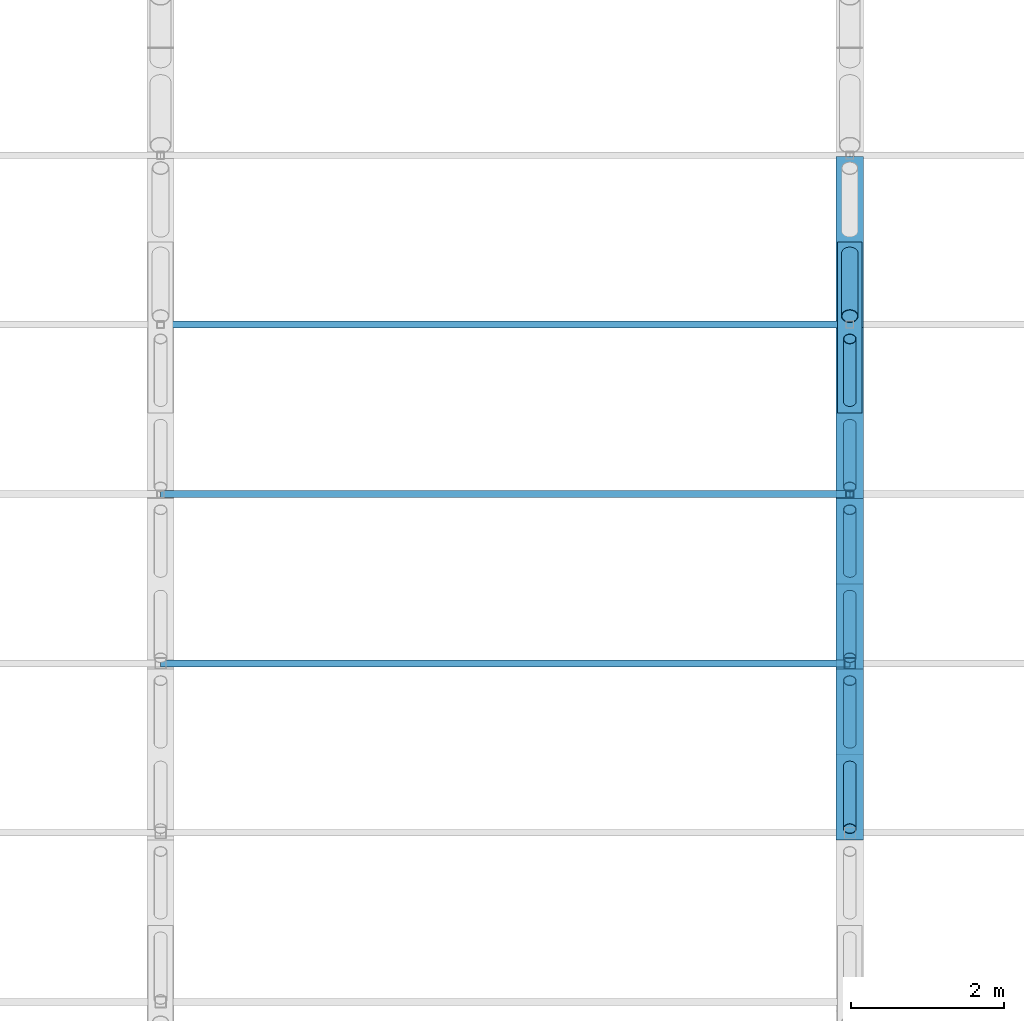
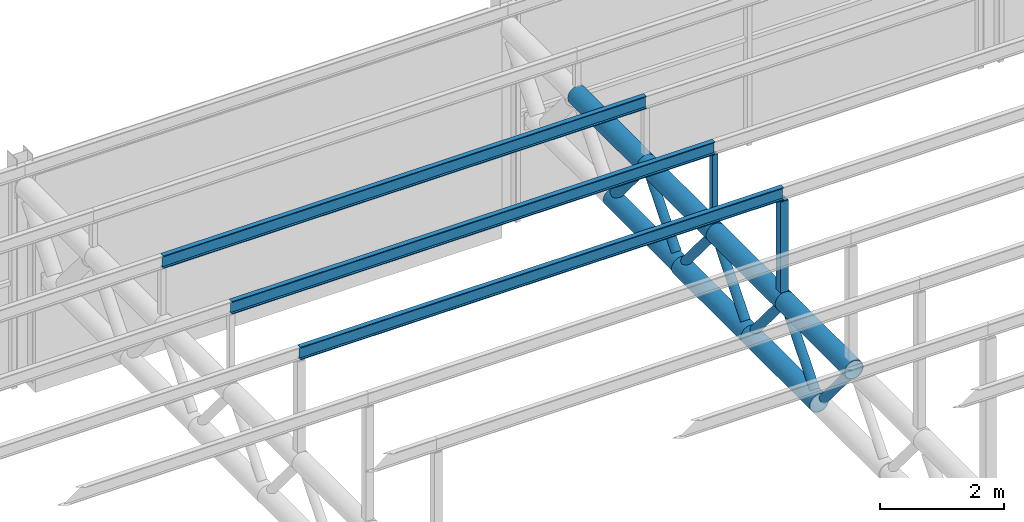
# One storey, part 55 of 138: 19 members.
"""IFC4 building model written with IfcOpenShell, lengths in metres."""

from ifc_helpers import new_model, si_unit, direction, frame, origin, origin_2d, place, context, subcontext, project, spatial, hollow_rectangle, hollow_circle, i_section, extrude, material, material_profile, profile_set, type_object, element, save


model = new_model("IFC4")

# Units and contexts
model_context = context("Model", 3, precision=1e-05, world=origin(), true_north=direction((0.0, 1.0)))
body_context = subcontext(model_context, "Body", "Model", "MODEL_VIEW")
ifc_project = project(units=[si_unit("LENGTHUNIT", "METRE"), si_unit("AREAUNIT", "SQUARE_METRE"), si_unit("VOLUMEUNIT", "CUBIC_METRE"), si_unit("PLANEANGLEUNIT", "RADIAN"), si_unit("MASSUNIT", "GRAM", prefix="KILO")], contexts=[model_context])

# Site, building, storey
site_placement = place(None, origin())
site = spatial("IfcSite", under=ifc_project, at=site_placement, CompositionType="ELEMENT")
building_placement = place(site_placement, origin())
building = spatial("IfcBuilding", under=site, at=building_placement, Name="Corbel Yard City Hall", CompositionType="ELEMENT")
storey_placement = place(building_placement, frame((0.0, 0.0, 10.5)))
storey = spatial("IfcBuildingStorey", under=building, at=storey_placement, Name="L02", CompositionType="ELEMENT", Elevation=10.5)

# Members
ifc_material_1 = material(Name="Steel Grade C350L0", Category="steel")
ifc_material_profile_1 = material_profile(ifc_material_1, hollow_circle(Radius=0.161865234375, WallThickness=0.0126953125, at=origin_2d()), Name="323.9x12.7CHS")
ifc_profile_set_1 = profile_set([ifc_material_profile_1], Name="Steel Grade C350L0")
member_type_1 = type_object("IfcMemberType", Name="Hall roof truss bottom chord 323.9x12.7CHS", PredefinedType="CHORD", material=ifc_profile_set_1)
member_1_placement = place(storey_placement, frame((126.0, 21.270263671875, 2.59228515625), z_axis=(0.0, 1.0, 0.0), x_axis=(-1.0, 0.0, 0.0)))
element("IfcMember", 1, at=member_1_placement, inside=storey, type_object=member_type_1, Name="Hall roof truss bottom chord 323.9x12.7CHS TC2", PredefinedType="CHORD", context=body_context, shape_type="SweptSolid", body=[
    extrude(hollow_circle(Radius=0.161865234375, WallThickness=0.0126953125, at=origin_2d()), origin(), (0.0, 0.0, 1.0), 2.230712890625),
])
ifc_material_profile_2 = material_profile(ifc_material_1, hollow_circle(Radius=0.177734375, WallThickness=0.0126953125, at=origin_2d()), Name="355.6x12.7CHS")
ifc_profile_set_2 = profile_set([ifc_material_profile_2], Name="Steel Grade C350L0")
member_type_2 = type_object("IfcMemberType", Name="Hall roof truss bottom chord 355.6x12.7CHS", PredefinedType="CHORD", material=ifc_profile_set_2)
for number, where, z_axis, x_axis, name in (
    (2, (126.0, 16.808349609375, 2.59228515625), (0.0, 1.0, 0.0), (-1.0, 0.0, 0.0), "Hall roof truss bottom chord 355.6x12.7CHS TC3"),
    (3, (126.0, 19.039306640625, 2.59228515625), (0.0, 1.0, 0.0), (-1.0, 0.0, 0.0), "Hall roof truss bottom chord 355.6x12.7CHS TC3"),
):
    element("IfcMember", number, at=place(storey_placement, frame(where, z_axis=z_axis, x_axis=x_axis)), inside=storey, type_object=member_type_2, Name=name, PredefinedType="CHORD", context=body_context, shape_type="SweptSolid", body=[
        extrude(hollow_circle(Radius=0.177734375, WallThickness=0.0126953125, at=origin_2d()), origin(), (0.0, 0.0, 1.0), 2.23095703125),
    ])
ifc_material_profile_3 = material_profile(ifc_material_1, hollow_circle(Radius=0.084228515625, WallThickness=0.007080078125, at=origin_2d()), Name="168.3x7.1CHS")
ifc_profile_set_3 = profile_set([ifc_material_profile_3], Name="Steel Grade C350L0")
member_type_3 = type_object("IfcMemberType", Name="Hall roof truss diagonal 168.3x7.1CHS", PredefinedType="STRUT", material=ifc_profile_set_3)
for number, where, z_axis, x_axis, name in (
    (4, (126.0, 15.842041015625, 3.744384765625), (0.0, 0.64257954038, -0.766218985855), (-1.0, 0.0, 0.0), "Hall roof truss diagonal 168.3x7.1CHS TD3"),
    (5, (126.0, 16.95751953125, 2.77001953125), (0.0, 0.64257954038, 0.766218985855), (-1.0, 0.0, 0.0), "Hall roof truss diagonal 168.3x7.1CHS TD3"),
    (6, (126.0, 18.07275390625, 3.744384765625), (0.0, 0.642692233301, -0.766124463292), (-1.0, 0.0, 0.0), "Hall roof truss diagonal 168.3x7.1CHS TD3"),
    (7, (126.0, 19.188232421875, 2.77001953125), (0.0, 0.642692233301, 0.766124463292), (-1.0, 0.0, 0.0), "Hall roof truss diagonal 168.3x7.1CHS TD3"),
    (8, (126.0, 20.3037109375, 3.744384765625), (0.0, 0.642692233301, -0.766124463292), (-1.0, 0.0, 0.0), "Hall roof truss diagonal 168.3x7.1CHS TD3"),
    (9, (126.0, 21.419189453125, 2.77001953125), (0.0, 0.642692233301, 0.766124463292), (-1.0, 0.0, 0.0), "Hall roof truss diagonal 168.3x7.1CHS TD3"),
):
    element("IfcMember", number, at=place(storey_placement, frame(where, z_axis=z_axis, x_axis=x_axis)), inside=storey, type_object=member_type_3, Name=name, PredefinedType="STRUT", context=body_context, shape_type="SweptSolid", body=[
        extrude(hollow_circle(Radius=0.084228515625, WallThickness=0.007080078125, at=origin_2d()), origin(), (0.0, 0.0, 1.0), 1.271728515625),
    ])
ifc_material_profile_4 = material_profile(ifc_material_1, hollow_circle(Radius=0.109619140625, WallThickness=0.00830078125, at=origin_2d()), Name="219.1x8.2CHS")
ifc_profile_set_4 = profile_set([ifc_material_profile_4], Name="Steel Grade C350L0")
member_type_4 = type_object("IfcMemberType", Name="Hall roof truss diagonal 219.1x8.2CHS", PredefinedType="STRUT", material=ifc_profile_set_4)
member_2_placement = place(storey_placement, frame((126.0, 22.53466796875, 3.744384765625), z_axis=(0.0, 0.642692233301, -0.766124463292), x_axis=(-1.0, 0.0, 0.0)))
element("IfcMember", 10, at=member_2_placement, inside=storey, type_object=member_type_4, Name="Hall roof truss diagonal 219.1x8.2CHS TD2", PredefinedType="STRUT", context=body_context, shape_type="SweptSolid", body=[
    extrude(hollow_circle(Radius=0.109619140625, WallThickness=0.00830078125, at=origin_2d()), origin(), (0.0, 0.0, 1.0), 1.271728515625),
])
ifc_material_profile_5 = material_profile(ifc_material_1, hollow_circle(Radius=0.177734375, WallThickness=0.0126953125, at=origin_2d()), Name="355.6x12.7CHS")
ifc_profile_set_5 = profile_set([ifc_material_profile_5], Name="Steel Grade C350L0")
member_type_5 = type_object("IfcMemberType", Name="Hall roof truss top chord 355.6x12.7CHS", PredefinedType="CHORD", material=ifc_profile_set_5)
for number, where, z_axis, x_axis, name in (
    (11, (126.0, 15.69287109375, 3.922119140625), (0.0, 1.0, 0.0), (-1.0, 0.0, 0.0), "Hall roof truss top chord 355.6x12.7CHS TC1"),
    (12, (126.0, 17.923828125, 3.922119140625), (0.0, 1.0, 0.0), (-1.0, 0.0, 0.0), "Hall roof truss top chord 355.6x12.7CHS TC1"),
    (13, (126.0, 20.15478515625, 3.922119140625), (0.0, 1.0, 0.0), (-1.0, 0.0, 0.0), "Hall roof truss top chord 355.6x12.7CHS TC1"),
):
    element("IfcMember", number, at=place(storey_placement, frame(where, z_axis=z_axis, x_axis=x_axis)), inside=storey, type_object=member_type_5, Name=name, PredefinedType="CHORD", context=body_context, shape_type="SweptSolid", body=[
        extrude(hollow_circle(Radius=0.177734375, WallThickness=0.0126953125, at=origin_2d()), origin(), (0.0, 0.0, 1.0), 2.23095703125),
    ])
member_3_placement = place(storey_placement, frame((126.0, 22.3857421875, 3.922119140625), z_axis=(0.0, 1.0, 0.0), x_axis=(-1.0, 0.0, 0.0)))
element("IfcMember", 14, at=member_3_placement, inside=storey, type_object=member_type_5, Name="Hall roof truss top chord 355.6x12.7CHS TC1", PredefinedType="CHORD", context=body_context, shape_type="SweptSolid", body=[
    extrude(hollow_circle(Radius=0.177734375, WallThickness=0.0126953125, at=origin_2d()), origin(), (0.0, 0.0, 1.0), 2.230712890625),
])
ifc_material_2 = material(Name="Steel Grade 300 (300 MPa yield)", Category="steel")
ifc_material_profile_6 = material_profile(ifc_material_2, i_section(OverallWidth=0.090087890625, OverallDepth=0.25, WebThickness=0.008056640625, FlangeThickness=0.014892578125, at=origin_2d()), Name="250PFC")
ifc_profile_set_6 = profile_set([ifc_material_profile_6], Name="Steel Grade 300 (300 MPa yield)")
member_type_6 = type_object("IfcMemberType", Name="Purlin 250PFC", PredefinedType="PURLIN", material=ifc_profile_set_6)
for number, where, z_axis, x_axis, name in (
    (15, (117.0, 18.0, 6.01611328125), (1.0, 0.0, 0.0), (0.0, 1.0, 0.0), "Purlin 250PFC PU1"),
    (16, (117.0, 20.2119140625, 5.57373046875), (1.0, 0.0, 0.0), (0.0, 1.0, 0.0), "Purlin 250PFC PU1"),
    (17, (117.0, 22.423828125, 5.13134765625), (1.0, 0.0, 0.0), (0.0, 1.0, 0.0), "Purlin 250PFC PU1"),
):
    element("IfcMember", number, at=place(storey_placement, frame(where, z_axis=z_axis, x_axis=x_axis)), inside=storey, type_object=member_type_6, Name=name, PredefinedType="PURLIN", context=body_context, shape_type="SweptSolid", body=[
        extrude(i_section(OverallWidth=0.090087890625, OverallDepth=0.25, WebThickness=0.008056640625, FlangeThickness=0.014892578125, at=origin_2d()), origin(), (0.0, 0.0, 1.0), 9.0),
    ])
ifc_material_3 = material(Name="Steel Grade C450L0", Category="steel")
ifc_material_profile_7 = material_profile(ifc_material_3, hollow_rectangle(XDim=0.10009765625, YDim=0.10009765625, WallThickness=0.006103515625, at=origin_2d()), Name="100x100x6.0SHS")
ifc_profile_set_7 = profile_set([ifc_material_profile_7], Name="Steel Grade C450L0")
member_type_7 = type_object("IfcMemberType", Name="Roof post 100x100x6.0SHS", PredefinedType="POST", material=ifc_profile_set_7)
member_4_placement = place(storey_placement, frame((126.0, 20.2119140625, 4.10009765625), z_axis=(0.0, 0.0, 1.0), x_axis=(1.0, 0.0, 0.0)))
element("IfcMember", 18, at=member_4_placement, inside=storey, type_object=member_type_7, Name="Roof post 100x100x6.0SHS RP3", PredefinedType="POST", context=body_context, shape_type="SweptSolid", body=[
    extrude(hollow_rectangle(XDim=0.10009765625, YDim=0.10009765625, WallThickness=0.006103515625, at=origin_2d()), origin(), (0.0, 0.0, 1.0), 1.3486328125),
])
ifc_material_profile_8 = material_profile(ifc_material_3, hollow_rectangle(XDim=0.14990234375, YDim=0.14990234375, WallThickness=0.009033203125, at=origin_2d()), Name="150x150x9.0SHS")
ifc_profile_set_8 = profile_set([ifc_material_profile_8], Name="Steel Grade C450L0")
member_type_8 = type_object("IfcMemberType", Name="Roof post 150x150x9.0SHS", PredefinedType="POST", material=ifc_profile_set_8)
member_5_placement = place(storey_placement, frame((126.0, 18.0, 4.10009765625), z_axis=(0.0, 0.0, 1.0), x_axis=(1.0, 0.0, 0.0)))
element("IfcMember", 19, at=member_5_placement, inside=storey, type_object=member_type_8, Name="Roof post 150x150x9.0SHS RP2", PredefinedType="POST", context=body_context, shape_type="SweptSolid", body=[
    extrude(hollow_rectangle(XDim=0.14990234375, YDim=0.14990234375, WallThickness=0.009033203125, at=origin_2d()), origin(), (0.0, 0.0, 1.0), 1.791015625),
])

save(model, "model.ifc")
